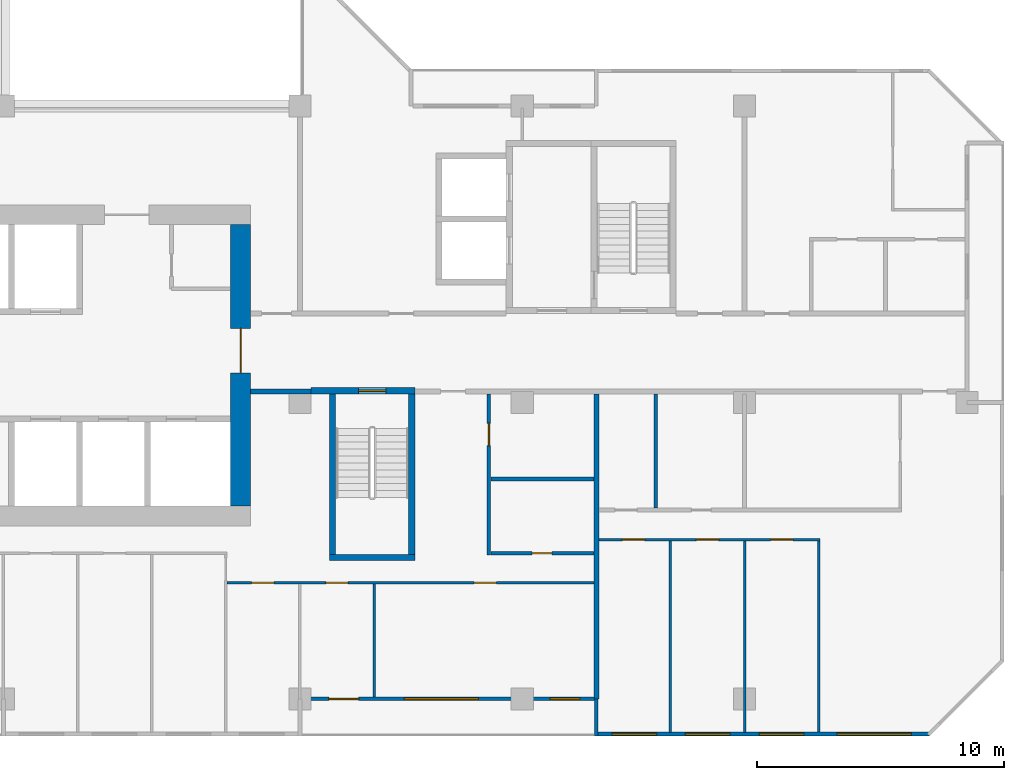
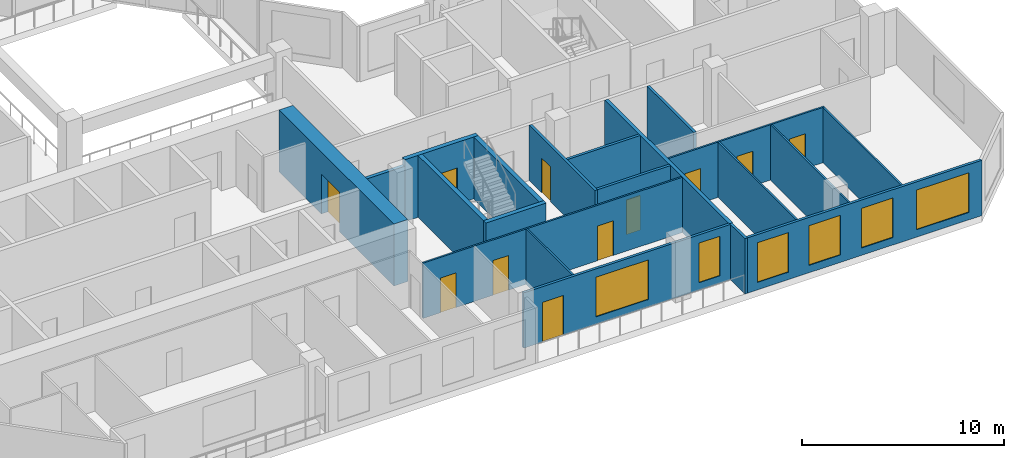
# One storey, part 6 of 15: 20 walls, 11 doors, 6 windows, 17 openings.
"""IFC4 building model written with IfcOpenShell, lengths in metres."""

from ifc_helpers import new_model, si_unit, direction, frame, frame_2d, origin, place, context, subcontext, project, spatial, rectangle, extrude, material, layer, layer_set, type_object, element, fill, save


model = new_model("IFC4")

# Units and contexts
model_context = context("Model", 3, precision=1e-05, world=origin(), true_north=direction((0.0, 1.0)))
body_context = subcontext(model_context, "Body", "Model", "MODEL_VIEW")
ifc_project = project(units=[si_unit("LENGTHUNIT", "METRE"), si_unit("AREAUNIT", "SQUARE_METRE"), si_unit("VOLUMEUNIT", "CUBIC_METRE"), si_unit("PLANEANGLEUNIT", "RADIAN"), si_unit("MASSUNIT", "GRAM", prefix="KILO")], contexts=[model_context])

# Site, building, storey
site_placement = place(None, origin())
site = spatial("IfcSite", under=ifc_project, at=site_placement, CompositionType="ELEMENT")
building_placement = place(site_placement, origin())
building = spatial("IfcBuilding", under=site, at=building_placement, Name="Chenar Terraces", CompositionType="ELEMENT")
storey_placement = place(building_placement, frame((0.0, 0.0, 198.64990234375)))
storey = spatial("IfcBuildingStorey", under=building, at=storey_placement, Name="L46", CompositionType="ELEMENT", Elevation=198.64990234375)

# Wall
ifc_material_1 = material(Name="Concrete C60/75", Category="concrete")
ifc_layer_1 = layer(ifc_material_1, 0.25)
ifc_layer_set_1 = layer_set([ifc_layer_1], Name="Concrete C60/75")
wall_type_1 = type_object("IfcWallType", Name="Core wall 250 Concrete C60/75", PredefinedType="SHEAR", material=ifc_layer_set_1)
wall_1_placement = place(storey_placement, frame((37.199951171875, 5.72509765625, 0.0), z_axis=(0.0, 0.0, 1.0), x_axis=(1.0, 0.0, 0.0)))
element("IfcWall", 1, at=wall_1_placement, inside=storey, type_object=wall_type_1, Name="Core wall ST2_S L46", PredefinedType="SHEAR", context=body_context, shape_type="SweptSolid", body=[
    extrude(rectangle(XDim=3.449951171875, YDim=0.25, at=frame_2d((1.72509765625, 0.0))), origin(), (0.0, 0.0, 1.0), 3.75),
])

# Wall, opening, door
wall_2_placement = place(storey_placement, frame((36.449951171875, 12.47509765625, 0.0), z_axis=(0.0, 0.0, 1.0), x_axis=(1.0, 0.0, 0.0)))
wall_2 = element("IfcWall", 2, at=wall_2_placement, inside=storey, type_object=wall_type_1, Name="Core wall ST2_N L46", PredefinedType="SHEAR", context=body_context, shape_type="SweptSolid", body=[
    extrude(rectangle(XDim=4.199951171875, YDim=0.25, at=frame_2d((2.10009765625, 0.0))), origin(), (0.0, 0.0, 1.0), 3.75),
])
opening_1_placement = place(wall_2_placement, frame((1.925048828125, 0.0, 0.0)))
opening_1 = element("IfcOpeningElement", 3, at=opening_1_placement, cuts=wall_2, Name="Opening DL46-C7", PredefinedType="OPENING", context=body_context, shape_type="SweptSolid", body=[
    extrude(rectangle(XDim=1.10009765625, YDim=2.199951171875, at=frame_2d((0.550048828125, 1.10009765625))), frame((0.0, 0.135009765625, 0.0), z_axis=(0.0, -1.0, 0.0), x_axis=(1.0, 0.0, 0.0)), (0.0, 0.0, 1.0), 0.27001953125),
])
ifc_material_2 = material(Name="Steel-framed fire-resisting door leaf", Category="steel")
door_type_1 = type_object("IfcDoorType", Name="Stair fire door FD60 1100 x 2200", OperationType="SINGLE_SWING_LEFT", PredefinedType="DOOR", material=ifc_material_2)
door_1_placement = place(opening_1_placement, frame((1.10009765625, 0.0, 0.0), z_axis=(0.0, 0.0, 1.0), x_axis=(-1.0, 0.0, 0.0)))
door_1 = element("IfcDoor", 4, at=door_1_placement, inside=storey, type_object=door_type_1, Name="Stair door DL46-C7", OperationType="SINGLE_SWING_RIGHT", OverallHeight=2.199951171875, OverallWidth=1.10009765625, PredefinedType="DOOR", context=body_context, shape_type="SweptSolid", body=[
    extrude(rectangle(XDim=1.10009765625, YDim=2.199951171875, at=frame_2d((0.550048828125, 1.10009765625))), frame((0.0, 0.02490234375, 0.0), z_axis=(0.0, -1.0, 0.0), x_axis=(1.0, 0.0, 0.0)), (0.0, 0.0, 1.0), 0.050048828125),
])
fill(opening_1, door_1)

# Walls
for number, where, z_axis, x_axis, name in (
    (5, (37.324951171875, 5.85009765625, 0.0), (0.0, 0.0, 1.0), (0.0, 1.0, 0.0), "Core wall ST2_W L46"),
    (6, (40.52490234375, 5.85009765625, 0.0), (0.0, 0.0, 1.0), (0.0, 1.0, 0.0), "Core wall ST2_E L46"),
):
    element("IfcWall", number, at=place(storey_placement, frame(where, z_axis=z_axis, x_axis=x_axis)), inside=storey, type_object=wall_type_1, Name=name, PredefinedType="SHEAR", context=body_context, shape_type="SweptSolid", body=[
        extrude(rectangle(XDim=6.5, YDim=0.25, at=frame_2d((3.25, 0.0))), origin(), (0.0, 0.0, 1.0), 3.75),
    ])

# Wall, opening, door
ifc_material_3 = material(Name="Concrete C60/75", Category="concrete")
ifc_layer_2 = layer(ifc_material_3, 0.800048828125)
ifc_layer_set_2 = layer_set([ifc_layer_2], Name="Concrete C60/75")
wall_type_2 = type_object("IfcWallType", Name="Core wall 800 Concrete C60/75", PredefinedType="SHEAR", material=ifc_layer_set_2)
wall_3_placement = place(storey_placement, frame((33.60009765625, 7.800048828125, 0.0), z_axis=(0.0, 0.0, 1.0), x_axis=(0.0, 1.0, 0.0)))
wall_3 = element("IfcWall", 7, at=wall_3_placement, inside=storey, type_object=wall_type_2, Name="Core wall E L46", PredefinedType="SHEAR", context=body_context, shape_type="SweptSolid", body=[
    extrude(rectangle(XDim=11.39990234375, YDim=0.800048828125, at=frame_2d((5.699951171875, 0.0))), origin(), (0.0, 0.0, 1.0), 3.75),
])
opening_2_placement = place(wall_3_placement, frame((5.39990234375, 0.0, 0.0)))
opening_2 = element("IfcOpeningElement", 8, at=opening_2_placement, cuts=wall_3, Name="Opening DL46-C1", PredefinedType="OPENING", context=body_context, shape_type="SweptSolid", body=[
    extrude(rectangle(XDim=1.800048828125, YDim=2.39990234375, at=frame_2d((0.89990234375, 1.199951171875))), frame((0.0, 0.409912109375, 0.0), z_axis=(0.0, -1.0, 0.0), x_axis=(1.0, 0.0, 0.0)), (0.0, 0.0, 1.0), 0.820068359375),
])
ifc_material_4 = material(Name="Steel-framed fire-resisting door leaf", Category="steel")
door_type_2 = type_object("IfcDoorType", Name="Core entrance double fire door FD60 1800 x 2400", OperationType="DOUBLE_DOOR_SINGLE_SWING", PredefinedType="DOOR", material=ifc_material_4)
door_2_placement = place(opening_2_placement, origin())
door_2 = element("IfcDoor", 9, at=door_2_placement, inside=storey, type_object=door_type_2, Name="Core door DL46-C1", OperationType="DOUBLE_DOOR_SINGLE_SWING", OverallHeight=2.39990234375, OverallWidth=1.800048828125, PredefinedType="DOOR", context=body_context, shape_type="SweptSolid", body=[
    extrude(rectangle(XDim=1.800048828125, YDim=2.39990234375, at=frame_2d((0.89990234375, 1.199951171875))), frame((0.0, 0.02490234375, 0.0), z_axis=(0.0, -1.0, 0.0), x_axis=(1.0, 0.0, 0.0)), (0.0, 0.0, 1.0), 0.050048828125),
])
fill(opening_2, door_2)

# Wall
ifc_material_5 = material(Name="Gypsum board on steel studs with fire boards", Category="steel")
ifc_layer_3 = layer(ifc_material_5, 0.199951171875)
ifc_layer_set_3 = layer_set([ifc_layer_3], Name="Gypsum board on steel studs with fire boards")
wall_type_3 = type_object("IfcWallType", Name="Corridor wall 200", PredefinedType="PARTITIONING", material=ifc_layer_set_3)
wall_4_placement = place(storey_placement, frame((34.0, 12.449951171875, 0.0), z_axis=(0.0, 0.0, 1.0), x_axis=(1.0, 0.0, 0.0)))
element("IfcWall", 10, at=wall_4_placement, inside=storey, type_object=wall_type_3, Name="Partition L46-064", PredefinedType="PARTITIONING", context=body_context, shape_type="SweptSolid", body=[
    extrude(rectangle(XDim=2.450927734375, YDim=0.199951171875, at=frame_2d((1.2255859375, 0.0))), origin(), (0.0, 0.0, 1.0), 3.35009765625),
])

# Wall, openings, windows
ifc_material_6 = material(Name="Aluminium framed glazing", Category="aluminium")
ifc_layer_4 = layer(ifc_material_6, 0.14990234375)
ifc_layer_set_4 = layer_set([ifc_layer_4], Name="Aluminium framed glazing")
wall_type_4 = type_object("IfcWallType", Name="Glazed flush facade wall 150", PredefinedType="SOLIDWALL", material=ifc_layer_set_4)
wall_5_placement = place(storey_placement, frame((48.074951171875, -1.425048828125, 0.0), z_axis=(0.0, 0.0, 1.0), x_axis=(1.0, 0.0, 0.0)))
wall_5 = element("IfcWall", 11, at=wall_5_placement, inside=storey, type_object=wall_type_4, Name="Glazed flush facade wall", PredefinedType="SOLIDWALL", context=body_context, shape_type="SweptSolid", body=[
    extrude(rectangle(XDim=13.425048828125, YDim=0.14990234375, at=frame_2d((6.71240234375, 0.0))), origin(), (0.0, 0.0, 1.0), 3.35009765625),
])
opening_3_placement = place(wall_5_placement, frame((0.5625, 0.0, 0.449951171875)))
opening_3 = element("IfcOpeningElement", 12, at=opening_3_placement, cuts=wall_5, Name="Opening W180x240", PredefinedType="OPENING", context=body_context, shape_type="SweptSolid", body=[
    extrude(rectangle(XDim=1.800048828125, YDim=2.39990234375, at=frame_2d((0.89990234375, 1.199951171875))), frame((0.0, 0.0849609375, 0.0), z_axis=(0.0, -1.0, 0.0), x_axis=(1.0, 0.0, 0.0)), (0.0, 0.0, 1.0), 0.169921875),
])
opening_4_placement = place(wall_5_placement, frame((3.52490234375, 0.0, 0.449951171875)))
opening_4 = element("IfcOpeningElement", 13, at=opening_4_placement, cuts=wall_5, Name="Opening W180x240", PredefinedType="OPENING", context=body_context, shape_type="SweptSolid", body=[
    extrude(rectangle(XDim=1.800048828125, YDim=2.39990234375, at=frame_2d((0.89990234375, 1.199951171875))), frame((0.0, 0.0849609375, 0.0), z_axis=(0.0, -1.0, 0.0), x_axis=(1.0, 0.0, 0.0)), (0.0, 0.0, 1.0), 0.169921875),
])
opening_5_placement = place(wall_5_placement, frame((6.52490234375, 0.0, 0.449951171875)))
opening_5 = element("IfcOpeningElement", 14, at=opening_5_placement, cuts=wall_5, Name="Opening W180x240", PredefinedType="OPENING", context=body_context, shape_type="SweptSolid", body=[
    extrude(rectangle(XDim=1.800048828125, YDim=2.39990234375, at=frame_2d((0.89990234375, 1.199951171875))), frame((0.0, 0.0849609375, 0.0), z_axis=(0.0, -1.0, 0.0), x_axis=(1.0, 0.0, 0.0)), (0.0, 0.0, 1.0), 0.169921875),
])
opening_6_placement = place(wall_5_placement, frame((9.675048828125, 0.0, 0.449951171875)))
opening_6 = element("IfcOpeningElement", 15, at=opening_6_placement, cuts=wall_5, Name="Opening W300x240", PredefinedType="OPENING", context=body_context, shape_type="SweptSolid", body=[
    extrude(rectangle(XDim=3.0, YDim=2.39990234375, at=frame_2d((1.5, 1.199951171875))), frame((0.0, 0.0849609375, 0.0), z_axis=(0.0, -1.0, 0.0), x_axis=(1.0, 0.0, 0.0)), (0.0, 0.0, 1.0), 0.169921875),
])
ifc_material_7 = material(Name="Low emissivity double glazing, aluminium frame", Category="aluminium")
window_type_1 = type_object("IfcWindowType", Name="Fixed light 1800 x 2400", PartitioningType="SINGLE_PANEL", PredefinedType="WINDOW", material=ifc_material_7)
window_1_placement = place(opening_3_placement, origin())
window_1 = element("IfcWindow", 16, at=window_1_placement, inside=storey, type_object=window_type_1, Name="Window", OverallHeight=2.39990234375, OverallWidth=1.800048828125, PartitioningType="SINGLE_PANEL", PredefinedType="WINDOW", context=body_context, shape_type="SweptSolid", body=[
    extrude(rectangle(XDim=1.800048828125, YDim=2.39990234375, at=frame_2d((0.89990234375, 1.199951171875))), frame((0.0, 0.030029296875, 0.0), z_axis=(0.0, -1.0, 0.0), x_axis=(1.0, 0.0, 0.0)), (0.0, 0.0, 1.0), 0.06005859375),
])
fill(opening_3, window_1)
window_2_placement = place(opening_4_placement, origin())
window_2 = element("IfcWindow", 17, at=window_2_placement, inside=storey, type_object=window_type_1, Name="Window", OverallHeight=2.39990234375, OverallWidth=1.800048828125, PartitioningType="SINGLE_PANEL", PredefinedType="WINDOW", context=body_context, shape_type="SweptSolid", body=[
    extrude(rectangle(XDim=1.800048828125, YDim=2.39990234375, at=frame_2d((0.89990234375, 1.199951171875))), frame((0.0, 0.030029296875, 0.0), z_axis=(0.0, -1.0, 0.0), x_axis=(1.0, 0.0, 0.0)), (0.0, 0.0, 1.0), 0.06005859375),
])
fill(opening_4, window_2)
window_3_placement = place(opening_5_placement, origin())
window_3 = element("IfcWindow", 18, at=window_3_placement, inside=storey, type_object=window_type_1, Name="Window", OverallHeight=2.39990234375, OverallWidth=1.800048828125, PartitioningType="SINGLE_PANEL", PredefinedType="WINDOW", context=body_context, shape_type="SweptSolid", body=[
    extrude(rectangle(XDim=1.800048828125, YDim=2.39990234375, at=frame_2d((0.89990234375, 1.199951171875))), frame((0.0, 0.030029296875, 0.0), z_axis=(0.0, -1.0, 0.0), x_axis=(1.0, 0.0, 0.0)), (0.0, 0.0, 1.0), 0.06005859375),
])
fill(opening_5, window_3)
ifc_material_8 = material(Name="Low emissivity double glazing, aluminium frame", Category="aluminium")
window_type_2 = type_object("IfcWindowType", Name="Fixed light 3000 x 2400", PartitioningType="SINGLE_PANEL", PredefinedType="WINDOW", material=ifc_material_8)
window_4_placement = place(opening_6_placement, origin())
window_4 = element("IfcWindow", 19, at=window_4_placement, inside=storey, type_object=window_type_2, Name="Window", OverallHeight=2.39990234375, OverallWidth=3.0, PartitioningType="SINGLE_PANEL", PredefinedType="WINDOW", context=body_context, shape_type="SweptSolid", body=[
    extrude(rectangle(XDim=3.0, YDim=2.39990234375, at=frame_2d((1.5, 1.199951171875))), frame((0.0, 0.030029296875, 0.0), z_axis=(0.0, -1.0, 0.0), x_axis=(1.0, 0.0, 0.0)), (0.0, 0.0, 1.0), 0.06005859375),
])
fill(opening_6, window_4)

# Wall, openings, windows, door
ifc_material_9 = material(Name="Aluminium framed glazing", Category="aluminium")
ifc_layer_5 = layer(ifc_material_9, 0.14990234375)
ifc_layer_set_5 = layer_set([ifc_layer_5], Name="Aluminium framed glazing")
wall_type_5 = type_object("IfcWallType", Name="Glazed loggia back wall 150", PredefinedType="SOLIDWALL", material=ifc_layer_set_5)
wall_6_placement = place(storey_placement, frame((36.074951171875, 0.0, 0.0), z_axis=(0.0, 0.0, 1.0), x_axis=(1.0, 0.0, 0.0)))
wall_6 = element("IfcWall", 20, at=wall_6_placement, inside=storey, type_object=wall_type_5, Name="Glazed loggia back wall", PredefinedType="SOLIDWALL", context=body_context, shape_type="SweptSolid", body=[
    extrude(rectangle(XDim=11.85009765625, YDim=0.14990234375, at=frame_2d((5.925048828125, 0.0))), origin(), (0.0, 0.0, 1.0), 3.35009765625),
])
opening_7_placement = place(wall_6_placement, frame((1.10009765625, 0.0, 0.0)))
opening_7 = element("IfcOpeningElement", 21, at=opening_7_placement, cuts=wall_6, Name="Opening DL46-G6", PredefinedType="OPENING", context=body_context, shape_type="SweptSolid", body=[
    extrude(rectangle(XDim=1.199951171875, YDim=2.39990234375, at=frame_2d((0.60009765625, 1.199951171875))), frame((0.0, 0.0849609375, 0.0), z_axis=(0.0, -1.0, 0.0), x_axis=(1.0, 0.0, 0.0)), (0.0, 0.0, 1.0), 0.169921875),
])
opening_8_placement = place(wall_6_placement, frame((4.14990234375, 0.0, 0.449951171875)))
opening_8 = element("IfcOpeningElement", 22, at=opening_8_placement, cuts=wall_6, Name="Opening W300x240", PredefinedType="OPENING", context=body_context, shape_type="SweptSolid", body=[
    extrude(rectangle(XDim=3.0, YDim=2.39990234375, at=frame_2d((1.5, 1.199951171875))), frame((0.0, 0.0849609375, 0.0), z_axis=(0.0, -1.0, 0.0), x_axis=(1.0, 0.0, 0.0)), (0.0, 0.0, 1.0), 0.169921875),
])
opening_9_placement = place(wall_6_placement, frame((10.0625, 0.0, 0.449951171875)))
opening_9 = element("IfcOpeningElement", 23, at=opening_9_placement, cuts=wall_6, Name="Opening W120x240", PredefinedType="OPENING", context=body_context, shape_type="SweptSolid", body=[
    extrude(rectangle(XDim=1.199951171875, YDim=2.39990234375, at=frame_2d((0.60009765625, 1.199951171875))), frame((0.0, 0.0849609375, 0.0), z_axis=(0.0, -1.0, 0.0), x_axis=(1.0, 0.0, 0.0)), (0.0, 0.0, 1.0), 0.169921875),
])
ifc_material_10 = material(Name="Low emissivity double glazing, aluminium frame", Category="aluminium")
window_type_3 = type_object("IfcWindowType", Name="Fixed light 1200 x 2400", PartitioningType="SINGLE_PANEL", PredefinedType="WINDOW", material=ifc_material_10)
window_5_placement = place(opening_9_placement, origin())
window_5 = element("IfcWindow", 24, at=window_5_placement, inside=storey, type_object=window_type_3, Name="Window", OverallHeight=2.39990234375, OverallWidth=1.199951171875, PartitioningType="SINGLE_PANEL", PredefinedType="WINDOW", context=body_context, shape_type="SweptSolid", body=[
    extrude(rectangle(XDim=1.199951171875, YDim=2.39990234375, at=frame_2d((0.60009765625, 1.199951171875))), frame((0.0, 0.030029296875, 0.0), z_axis=(0.0, -1.0, 0.0), x_axis=(1.0, 0.0, 0.0)), (0.0, 0.0, 1.0), 0.06005859375),
])
fill(opening_9, window_5)
window_6_placement = place(opening_8_placement, origin())
window_6 = element("IfcWindow", 25, at=window_6_placement, inside=storey, type_object=window_type_2, Name="Window", OverallHeight=2.39990234375, OverallWidth=3.0, PartitioningType="SINGLE_PANEL", PredefinedType="WINDOW", context=body_context, shape_type="SweptSolid", body=[
    extrude(rectangle(XDim=3.0, YDim=2.39990234375, at=frame_2d((1.5, 1.199951171875))), frame((0.0, 0.030029296875, 0.0), z_axis=(0.0, -1.0, 0.0), x_axis=(1.0, 0.0, 0.0)), (0.0, 0.0, 1.0), 0.06005859375),
])
fill(opening_8, window_6)
ifc_material_11 = material(Name="Low emissivity double glazing, aluminium frame", Category="aluminium")
door_type_3 = type_object("IfcDoorType", Name="Loggia glazed double door 1200 x 2400", OperationType="DOUBLE_DOOR_SINGLE_SWING", PredefinedType="DOOR", material=ifc_material_11)
door_3_placement = place(opening_7_placement, frame((1.199951171875, 0.0, 0.0), z_axis=(0.0, 0.0, 1.0), x_axis=(-1.0, 0.0, 0.0)))
door_3 = element("IfcDoor", 26, at=door_3_placement, inside=storey, type_object=door_type_3, Name="Loggia glazed door", OperationType="DOUBLE_DOOR_SINGLE_SWING", OverallHeight=2.39990234375, OverallWidth=1.199951171875, PredefinedType="DOOR", context=body_context, shape_type="SweptSolid", body=[
    extrude(rectangle(XDim=1.199951171875, YDim=2.39990234375, at=frame_2d((0.60009765625, 1.199951171875))), frame((0.0, 0.02490234375, 0.0), z_axis=(0.0, -1.0, 0.0), x_axis=(1.0, 0.0, 0.0)), (0.0, 0.0, 1.0), 0.050048828125),
])
fill(opening_7, door_3)

# Wall, openings, doors
ifc_material_12 = material(Name="Gypsum board on steel studs", Category="steel")
ifc_layer_6 = layer(ifc_material_12, 0.10009765625)
ifc_layer_set_6 = layer_set([ifc_layer_6], Name="Gypsum board on steel studs")
wall_type_6 = type_object("IfcWallType", Name="Gypsum partition 100", PredefinedType="PARTITIONING", material=ifc_layer_set_6)
wall_7_placement = place(storey_placement, frame((33.050048828125, 4.699951171875, 0.0), z_axis=(0.0, 0.0, 1.0), x_axis=(1.0, 0.0, 0.0)))
wall_7 = element("IfcWall", 27, at=wall_7_placement, inside=storey, type_object=wall_type_6, Name="Partition L46-063", PredefinedType="PARTITIONING", context=body_context, shape_type="SweptSolid", body=[
    extrude(rectangle(XDim=14.849853515625, YDim=0.10009765625, at=frame_2d((7.4248046875, 0.0))), origin(), (0.0, 0.0, 1.0), 3.35009765625),
])
opening_10_placement = place(wall_7_placement, frame((1.0, 0.0, 0.0)))
opening_10 = element("IfcOpeningElement", 28, at=opening_10_placement, cuts=wall_7, Name="Opening DL46-48", PredefinedType="OPENING", context=body_context, shape_type="SweptSolid", body=[
    extrude(rectangle(XDim=0.89990234375, YDim=2.10009765625, at=frame_2d((0.449951171875, 1.050048828125))), frame((0.0, 0.06005859375, 0.0), z_axis=(0.0, -1.0, 0.0), x_axis=(1.0, 0.0, 0.0)), (0.0, 0.0, 1.0), 0.1201171875),
])
opening_11_placement = place(wall_7_placement, frame((4.0, 0.0, 0.0)))
opening_11 = element("IfcOpeningElement", 29, at=opening_11_placement, cuts=wall_7, Name="Opening DL46-49", PredefinedType="OPENING", context=body_context, shape_type="SweptSolid", body=[
    extrude(rectangle(XDim=0.89990234375, YDim=2.10009765625, at=frame_2d((0.449951171875, 1.050048828125))), frame((0.0, 0.06005859375, 0.0), z_axis=(0.0, -1.0, 0.0), x_axis=(1.0, 0.0, 0.0)), (0.0, 0.0, 1.0), 0.1201171875),
])
opening_12_placement = place(wall_7_placement, frame((10.0, 0.0, 0.0)))
opening_12 = element("IfcOpeningElement", 30, at=opening_12_placement, cuts=wall_7, Name="Opening DL46-55", PredefinedType="OPENING", context=body_context, shape_type="SweptSolid", body=[
    extrude(rectangle(XDim=0.89990234375, YDim=2.10009765625, at=frame_2d((0.449951171875, 1.050048828125))), frame((0.0, 0.06005859375, 0.0), z_axis=(0.0, -1.0, 0.0), x_axis=(1.0, 0.0, 0.0)), (0.0, 0.0, 1.0), 0.1201171875),
])
ifc_material_13 = material(Name="Veneered timber door leaf", Category="wood")
door_type_4 = type_object("IfcDoorType", Name="Door 900 x 2100", OperationType="SINGLE_SWING_LEFT", PredefinedType="DOOR", material=ifc_material_13)
door_4_placement = place(opening_10_placement, frame((0.89990234375, 0.0, 0.0), z_axis=(0.0, 0.0, 1.0), x_axis=(-1.0, 0.0, 0.0)))
door_4 = element("IfcDoor", 31, at=door_4_placement, inside=storey, type_object=door_type_4, Name="Door DL46-48", OperationType="SINGLE_SWING_LEFT", OverallHeight=2.10009765625, OverallWidth=0.89990234375, PredefinedType="DOOR", context=body_context, shape_type="SweptSolid", body=[
    extrude(rectangle(XDim=0.89990234375, YDim=2.10009765625, at=frame_2d((0.449951171875, 1.050048828125))), frame((0.0, 0.02490234375, 0.0), z_axis=(0.0, -1.0, 0.0), x_axis=(1.0, 0.0, 0.0)), (0.0, 0.0, 1.0), 0.050048828125),
])
fill(opening_10, door_4)
door_5_placement = place(opening_11_placement, frame((0.89990234375, 0.0, 0.0), z_axis=(0.0, 0.0, 1.0), x_axis=(-1.0, 0.0, 0.0)))
door_5 = element("IfcDoor", 32, at=door_5_placement, inside=storey, type_object=door_type_4, Name="Door DL46-49", OperationType="SINGLE_SWING_LEFT", OverallHeight=2.10009765625, OverallWidth=0.89990234375, PredefinedType="DOOR", context=body_context, shape_type="SweptSolid", body=[
    extrude(rectangle(XDim=0.89990234375, YDim=2.10009765625, at=frame_2d((0.449951171875, 1.050048828125))), frame((0.0, 0.02490234375, 0.0), z_axis=(0.0, -1.0, 0.0), x_axis=(1.0, 0.0, 0.0)), (0.0, 0.0, 1.0), 0.050048828125),
])
fill(opening_11, door_5)
door_6_placement = place(opening_12_placement, frame((0.89990234375, 0.0, 0.0), z_axis=(0.0, 0.0, 1.0), x_axis=(-1.0, 0.0, 0.0)))
door_6 = element("IfcDoor", 33, at=door_6_placement, inside=storey, type_object=door_type_4, Name="Door DL46-55", OperationType="SINGLE_SWING_LEFT", OverallHeight=2.10009765625, OverallWidth=0.89990234375, PredefinedType="DOOR", context=body_context, shape_type="SweptSolid", body=[
    extrude(rectangle(XDim=0.89990234375, YDim=2.10009765625, at=frame_2d((0.449951171875, 1.050048828125))), frame((0.0, 0.02490234375, 0.0), z_axis=(0.0, -1.0, 0.0), x_axis=(1.0, 0.0, 0.0)), (0.0, 0.0, 1.0), 0.050048828125),
])
fill(opening_12, door_6)

# Wall
wall_8_placement = place(storey_placement, frame((39.0, 0.073974609375, 0.0), z_axis=(0.0, 0.0, 1.0), x_axis=(0.0, 1.0, 0.0)))
element("IfcWall", 34, at=wall_8_placement, inside=storey, type_object=wall_type_6, Name="Partition L46-068", PredefinedType="PARTITIONING", context=body_context, shape_type="SweptSolid", body=[
    extrude(rectangle(XDim=4.575927734375, YDim=0.10009765625, at=frame_2d((2.2880859375, 0.0))), origin(), (0.0, 0.0, 1.0), 3.35009765625),
])

# Wall, openings, doors
wall_9_placement = place(storey_placement, frame((48.10009765625, 6.449951171875, 0.0), z_axis=(0.0, 0.0, 1.0), x_axis=(1.0, 0.0, 0.0)))
wall_9 = element("IfcWall", 35, at=wall_9_placement, inside=storey, type_object=wall_type_6, Name="Partition L46-075", PredefinedType="PARTITIONING", context=body_context, shape_type="SweptSolid", body=[
    extrude(rectangle(XDim=8.949951171875, YDim=0.10009765625, at=frame_2d((4.47509765625, 0.0))), origin(), (0.0, 0.0, 1.0), 3.35009765625),
])
opening_13_placement = place(wall_9_placement, frame((0.949951171875, 0.0, 0.0)))
opening_13 = element("IfcOpeningElement", 36, at=opening_13_placement, cuts=wall_9, Name="Opening DL46-9", PredefinedType="OPENING", context=body_context, shape_type="SweptSolid", body=[
    extrude(rectangle(XDim=0.89990234375, YDim=2.10009765625, at=frame_2d((0.449951171875, 1.050048828125))), frame((0.0, 0.06005859375, 0.0), z_axis=(0.0, -1.0, 0.0), x_axis=(1.0, 0.0, 0.0)), (0.0, 0.0, 1.0), 0.1201171875),
])
opening_14_placement = place(wall_9_placement, frame((3.949951171875, 0.0, 0.0)))
opening_14 = element("IfcOpeningElement", 37, at=opening_14_placement, cuts=wall_9, Name="Opening DL46-10", PredefinedType="OPENING", context=body_context, shape_type="SweptSolid", body=[
    extrude(rectangle(XDim=0.89990234375, YDim=2.10009765625, at=frame_2d((0.449951171875, 1.050048828125))), frame((0.0, 0.06005859375, 0.0), z_axis=(0.0, -1.0, 0.0), x_axis=(1.0, 0.0, 0.0)), (0.0, 0.0, 1.0), 0.1201171875),
])
opening_15_placement = place(wall_9_placement, frame((6.949951171875, 0.0, 0.0)))
opening_15 = element("IfcOpeningElement", 38, at=opening_15_placement, cuts=wall_9, Name="Opening DL46-11", PredefinedType="OPENING", context=body_context, shape_type="SweptSolid", body=[
    extrude(rectangle(XDim=0.89990234375, YDim=2.10009765625, at=frame_2d((0.449951171875, 1.050048828125))), frame((0.0, 0.06005859375, 0.0), z_axis=(0.0, -1.0, 0.0), x_axis=(1.0, 0.0, 0.0)), (0.0, 0.0, 1.0), 0.1201171875),
])
door_7_placement = place(opening_13_placement, frame((0.89990234375, 0.0, 0.0), z_axis=(0.0, 0.0, 1.0), x_axis=(-1.0, 0.0, 0.0)))
door_7 = element("IfcDoor", 39, at=door_7_placement, inside=storey, type_object=door_type_4, Name="Door DL46-9", OperationType="SINGLE_SWING_LEFT", OverallHeight=2.10009765625, OverallWidth=0.89990234375, PredefinedType="DOOR", context=body_context, shape_type="SweptSolid", body=[
    extrude(rectangle(XDim=0.89990234375, YDim=2.10009765625, at=frame_2d((0.449951171875, 1.050048828125))), frame((0.0, 0.02490234375, 0.0), z_axis=(0.0, -1.0, 0.0), x_axis=(1.0, 0.0, 0.0)), (0.0, 0.0, 1.0), 0.050048828125),
])
fill(opening_13, door_7)
door_8_placement = place(opening_14_placement, frame((0.89990234375, 0.0, 0.0), z_axis=(0.0, 0.0, 1.0), x_axis=(-1.0, 0.0, 0.0)))
door_8 = element("IfcDoor", 40, at=door_8_placement, inside=storey, type_object=door_type_4, Name="Door DL46-10", OperationType="SINGLE_SWING_LEFT", OverallHeight=2.10009765625, OverallWidth=0.89990234375, PredefinedType="DOOR", context=body_context, shape_type="SweptSolid", body=[
    extrude(rectangle(XDim=0.89990234375, YDim=2.10009765625, at=frame_2d((0.449951171875, 1.050048828125))), frame((0.0, 0.02490234375, 0.0), z_axis=(0.0, -1.0, 0.0), x_axis=(1.0, 0.0, 0.0)), (0.0, 0.0, 1.0), 0.050048828125),
])
fill(opening_14, door_8)
door_9_placement = place(opening_15_placement, frame((0.89990234375, 0.0, 0.0), z_axis=(0.0, 0.0, 1.0), x_axis=(-1.0, 0.0, 0.0)))
door_9 = element("IfcDoor", 41, at=door_9_placement, inside=storey, type_object=door_type_4, Name="Door DL46-11", OperationType="SINGLE_SWING_LEFT", OverallHeight=2.10009765625, OverallWidth=0.89990234375, PredefinedType="DOOR", context=body_context, shape_type="SweptSolid", body=[
    extrude(rectangle(XDim=0.89990234375, YDim=2.10009765625, at=frame_2d((0.449951171875, 1.050048828125))), frame((0.0, 0.02490234375, 0.0), z_axis=(0.0, -1.0, 0.0), x_axis=(1.0, 0.0, 0.0)), (0.0, 0.0, 1.0), 0.050048828125),
])
fill(opening_15, door_9)

# Walls
for number, where, z_axis, x_axis, name in (
    (42, (51.0, -1.35107421875, 0.0), (0.0, 0.0, 1.0), (0.0, 1.0, 0.0), "Partition L46-078"),
    (43, (54.0, -1.35107421875, 0.0), (0.0, 0.0, 1.0), (0.0, 1.0, 0.0), "Partition L46-080"),
):
    element("IfcWall", number, at=place(storey_placement, frame(where, z_axis=z_axis, x_axis=x_axis)), inside=storey, type_object=wall_type_6, Name=name, PredefinedType="PARTITIONING", context=body_context, shape_type="SweptSolid", body=[
        extrude(rectangle(XDim=7.7509765625, YDim=0.10009765625, at=frame_2d((3.87548828125, 0.0))), origin(), (0.0, 0.0, 1.0), 3.35009765625),
    ])
wall_10_placement = place(storey_placement, frame((57.0, -1.35009765625, 0.0), z_axis=(0.0, 0.0, 1.0), x_axis=(0.0, 1.0, 0.0)))
element("IfcWall", 44, at=wall_10_placement, inside=storey, type_object=wall_type_6, Name="Partition L46-085", PredefinedType="PARTITIONING", context=body_context, shape_type="SweptSolid", body=[
    extrude(rectangle(XDim=7.75, YDim=0.10009765625, at=frame_2d((3.875, 0.0))), origin(), (0.0, 0.0, 1.0), 3.35009765625),
])
ifc_material_14 = material(Name="Terracotta cladding on insulated backing", Category="masonry")
ifc_layer_7 = layer(ifc_material_14, 0.14990234375)
ifc_layer_set_7 = layer_set([ifc_layer_7], Name="Terracotta cladding on insulated backing")
wall_type_7 = type_object("IfcWallType", Name="Loggia return wall 150", PredefinedType="SOLIDWALL", material=ifc_layer_set_7)
wall_11_placement = place(storey_placement, frame((48.0, -1.5, 0.0), z_axis=(0.0, 0.0, 1.0), x_axis=(0.0, 1.0, 0.0)))
element("IfcWall", 45, at=wall_11_placement, inside=storey, type_object=wall_type_7, Name="Loggia return wall", PredefinedType="SOLIDWALL", context=body_context, shape_type="SweptSolid", body=[
    extrude(rectangle(XDim=1.5, YDim=0.14990234375, at=frame_2d((0.75, 0.0))), origin(), (0.0, 0.0, 1.0), 3.35009765625),
])
ifc_material_15 = material(Name="Twin gypsum board on steel studs with mineral wool", Category="steel")
ifc_layer_8 = layer(ifc_material_15, 0.199951171875)
ifc_layer_set_8 = layer_set([ifc_layer_8], Name="Twin gypsum board on steel studs with mineral wool")
wall_type_8 = type_object("IfcWallType", Name="Unit demising wall 200", PredefinedType="PARTITIONING", material=ifc_layer_set_8)
wall_12_placement = place(storey_placement, frame((48.0, 0.0, 0.0), z_axis=(0.0, 0.0, 1.0), x_axis=(0.0, 1.0, 0.0)))
element("IfcWall", 46, at=wall_12_placement, inside=storey, type_object=wall_type_8, Name="Partition L46-074", PredefinedType="PARTITIONING", context=body_context, shape_type="SweptSolid", body=[
    extrude(rectangle(XDim=12.35009765625, YDim=0.199951171875, at=frame_2d((6.175048828125, 0.0))), origin(), (0.0, 0.0, 1.0), 3.35009765625),
])

# Wall, opening, door
ifc_material_16 = material(Name="Moisture-resistant gypsum board on steel studs", Category="steel")
ifc_layer_9 = layer(ifc_material_16, 0.14990234375)
ifc_layer_set_9 = layer_set([ifc_layer_9], Name="Moisture-resistant gypsum board on steel studs")
wall_type_9 = type_object("IfcWallType", Name="Wet-room partition 150", PredefinedType="PARTITIONING", material=ifc_layer_set_9)
wall_13_placement = place(storey_placement, frame((43.64990234375, 5.824951171875, 0.0), z_axis=(0.0, 0.0, 1.0), x_axis=(0.0, 1.0, 0.0)))
wall_13 = element("IfcWall", 47, at=wall_13_placement, inside=storey, type_object=wall_type_9, Name="Partition L46-070", PredefinedType="PARTITIONING", context=body_context, shape_type="SweptSolid", body=[
    extrude(rectangle(XDim=6.525146484375, YDim=0.14990234375, at=frame_2d((3.2626953125, 0.0))), origin(), (0.0, 0.0, 1.0), 3.35009765625),
])
opening_16_placement = place(wall_13_placement, frame((4.425048828125, 0.0, 0.0)))
opening_16 = element("IfcOpeningElement", 48, at=opening_16_placement, cuts=wall_13, Name="Opening DL46-53", PredefinedType="OPENING", context=body_context, shape_type="SweptSolid", body=[
    extrude(rectangle(XDim=0.89990234375, YDim=2.10009765625, at=frame_2d((0.449951171875, 1.050048828125))), frame((0.0, 0.0849609375, 0.0), z_axis=(0.0, -1.0, 0.0), x_axis=(1.0, 0.0, 0.0)), (0.0, 0.0, 1.0), 0.169921875),
])
door_10_placement = place(opening_16_placement, frame((0.89990234375, 0.0, 0.0), z_axis=(0.0, 0.0, 1.0), x_axis=(-1.0, 0.0, 0.0)))
door_10 = element("IfcDoor", 49, at=door_10_placement, inside=storey, type_object=door_type_4, Name="Door DL46-53", OperationType="SINGLE_SWING_LEFT", OverallHeight=2.10009765625, OverallWidth=0.89990234375, PredefinedType="DOOR", context=body_context, shape_type="SweptSolid", body=[
    extrude(rectangle(XDim=0.89990234375, YDim=2.10009765625, at=frame_2d((0.449951171875, 1.050048828125))), frame((0.0, 0.02490234375, 0.0), z_axis=(0.0, -1.0, 0.0), x_axis=(1.0, 0.0, 0.0)), (0.0, 0.0, 1.0), 0.050048828125),
])
fill(opening_16, door_10)

wall_14_placement = place(storey_placement, frame((43.72509765625, 5.89990234375, 0.0), z_axis=(0.0, 0.0, 1.0), x_axis=(1.0, 0.0, 0.0)))
wall_14 = element("IfcWall", 50, at=wall_14_placement, inside=storey, type_object=wall_type_9, Name="Partition L46-071", PredefinedType="PARTITIONING", context=body_context, shape_type="SweptSolid", body=[
    extrude(rectangle(XDim=4.1748046875, YDim=0.14990234375, at=frame_2d((2.08740234375, 0.0))), origin(), (0.0, 0.0, 1.0), 3.35009765625),
])
opening_17_placement = place(wall_14_placement, frame((1.675048828125, 0.0, 0.0)))
opening_17 = element("IfcOpeningElement", 51, at=opening_17_placement, cuts=wall_14, Name="Opening DL46-43", PredefinedType="OPENING", context=body_context, shape_type="SweptSolid", body=[
    extrude(rectangle(XDim=0.800048828125, YDim=2.10009765625, at=frame_2d((0.39990234375, 1.050048828125))), frame((0.0, 0.0849609375, 0.0), z_axis=(0.0, -1.0, 0.0), x_axis=(1.0, 0.0, 0.0)), (0.0, 0.0, 1.0), 0.169921875),
])
ifc_material_17 = material(Name="Veneered timber door leaf", Category="wood")
door_type_5 = type_object("IfcDoorType", Name="Door 800 x 2100", OperationType="SINGLE_SWING_LEFT", PredefinedType="DOOR", material=ifc_material_17)
door_11_placement = place(opening_17_placement, origin())
door_11 = element("IfcDoor", 52, at=door_11_placement, inside=storey, type_object=door_type_5, Name="Door DL46-43", OperationType="SINGLE_SWING_LEFT", OverallHeight=2.10009765625, OverallWidth=0.800048828125, PredefinedType="DOOR", context=body_context, shape_type="SweptSolid", body=[
    extrude(rectangle(XDim=0.800048828125, YDim=2.10009765625, at=frame_2d((0.39990234375, 1.050048828125))), frame((0.0, 0.02490234375, 0.0), z_axis=(0.0, -1.0, 0.0), x_axis=(1.0, 0.0, 0.0)), (0.0, 0.0, 1.0), 0.050048828125),
])
fill(opening_17, door_11)

# Walls
wall_15_placement = place(storey_placement, frame((43.72509765625, 8.89990234375, 0.0), z_axis=(0.0, 0.0, 1.0), x_axis=(1.0, 0.0, 0.0)))
element("IfcWall", 53, at=wall_15_placement, inside=storey, type_object=wall_type_9, Name="Partition L46-072", PredefinedType="PARTITIONING", context=body_context, shape_type="SweptSolid", body=[
    extrude(rectangle(XDim=4.1748046875, YDim=0.14990234375, at=frame_2d((2.08740234375, 0.0))), origin(), (0.0, 0.0, 1.0), 3.35009765625),
])
wall_16_placement = place(storey_placement, frame((50.39990234375, 7.72509765625, 0.0), z_axis=(0.0, 0.0, 1.0), x_axis=(0.0, 1.0, 0.0)))
element("IfcWall", 54, at=wall_16_placement, inside=storey, type_object=wall_type_9, Name="Partition L46-077", PredefinedType="PARTITIONING", context=body_context, shape_type="SweptSolid", body=[
    extrude(rectangle(XDim=4.625, YDim=0.14990234375, at=frame_2d((2.3125, 0.0))), origin(), (0.0, 0.0, 1.0), 3.35009765625),
])

save(model, "model.ifc")
